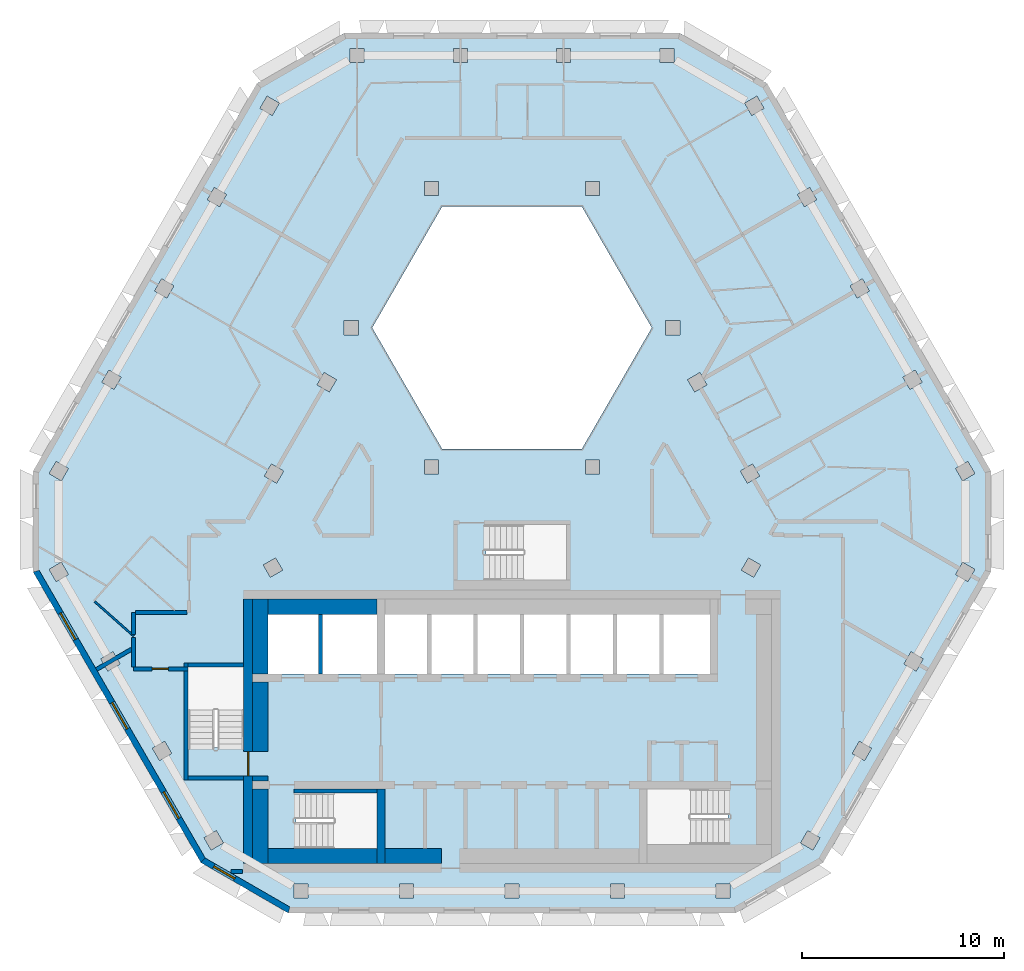
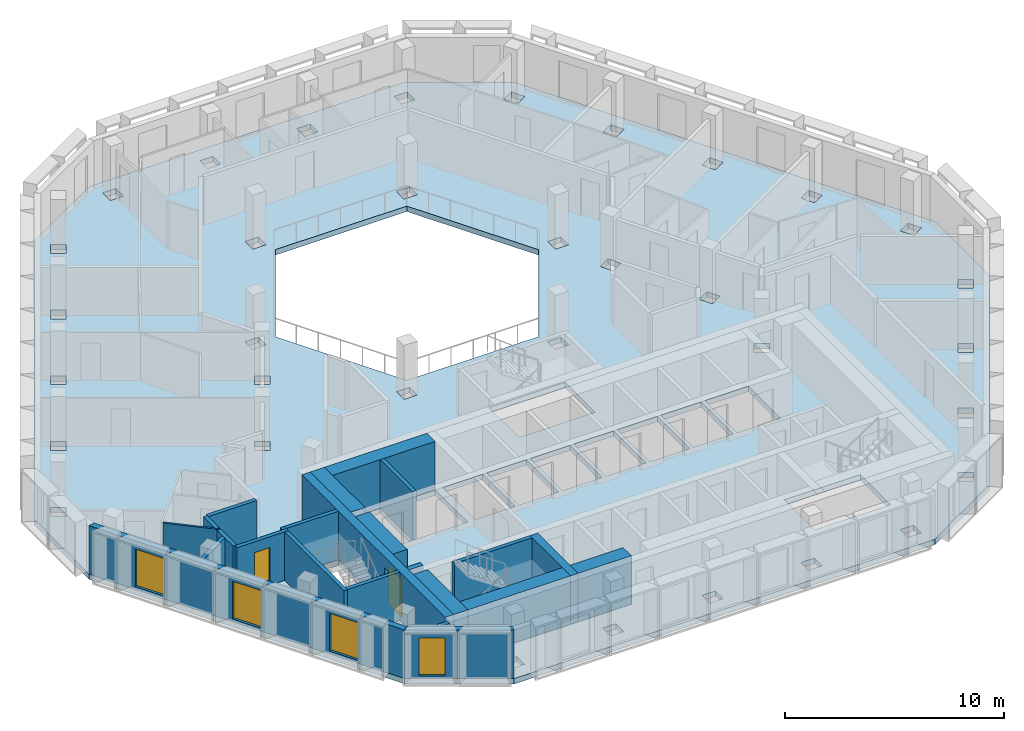
# One storey, part 2 of 14: 23 walls, 4 windows, 2 doors, 1 slab, 6 openings.
"""IFC4 building model written with IfcOpenShell, lengths in metres."""

import ifcopenshell
import ifcopenshell.guid

model = None  # the IFC model being written
_history = None  # IfcOwnerHistory: only IFC2X3 demands one
_inside = {}  # id of a spatial element -> (the spatial element, [elements in it])
_under = {}  # id of a project, library or spatial element -> (it, [spatial elements below it])
_declared = {}  # id of a project -> (the project, [libraries it declares])
_typed = {}  # id of a type object -> (the type object, [elements of that type])
_made_of = {}  # id of a material, layer set ... -> (it, [elements and type objects made of it])


def new_model(schema):
    """Start an empty IFC model of exactly this schema.

    Asked for "IFC4X3", IfcOpenShell would pick the latest addendum, in which some entities
    have other attributes; the version numbers below select the first issue.
    IFC2X3 requires an IfcOwnerHistory on every rooted entity: one is made here for all.
    """
    global model, _history
    if schema == "IFC4X3":
        model = ifcopenshell.file(schema_version=(4, 3, 0, 0))
    else:
        model = ifcopenshell.file(schema=schema)
    _inside.clear()
    _under.clear()
    _declared.clear()
    _typed.clear()
    _made_of.clear()
    _history = None
    if model.schema == "IFC2X3":
        org = make("IfcOrganization", Name="unknown")
        user = make(
            "IfcPersonAndOrganization",
            ThePerson=make("IfcPerson", FamilyName="unknown"),
            TheOrganization=org,
        )
        app = make(
            "IfcApplication",
            ApplicationDeveloper=org,
            Version="unknown",
            ApplicationFullName="unknown",
            ApplicationIdentifier="unknown",
        )
        _history = make(
            "IfcOwnerHistory",
            OwningUser=user,
            OwningApplication=app,
            ChangeAction="ADDED",
            CreationDate=0,
        )
    return model


def make(cls, **values):
    """One entity of the class cls with the attributes given. An attribute that is None is left unset."""
    return model.create_entity(
        cls, **{name: value for name, value in values.items() if value is not None}
    )


def rooted(cls, **values):
    """An entity with a GlobalId (a new one), such as an element, a storey or a relation."""
    return make(cls, GlobalId=ifcopenshell.guid.new(), OwnerHistory=_history, **values)


def si_unit(unit_type, name, prefix=None):
    """IfcSIUnit, for example si_unit("LENGTHUNIT", "METRE", prefix="MILLI")."""
    return make("IfcSIUnit", UnitType=unit_type, Prefix=prefix, Name=name)


def assignment(units):
    """IfcUnitAssignment: the units of a project."""
    return None if units is None else make("IfcUnitAssignment", Units=units)


def point(xyz):
    """IfcCartesianPoint."""
    return None if xyz is None else make("IfcCartesianPoint", Coordinates=xyz)


def direction(xyz):
    """IfcDirection."""
    return None if xyz is None else make("IfcDirection", DirectionRatios=xyz)


def frame(location, z_axis=None, x_axis=None):
    """IfcAxis2Placement3D, a coordinate frame: its origin and axes. An axis left out is left unset."""
    return make(
        "IfcAxis2Placement3D",
        Location=point(location),
        Axis=direction(z_axis),
        RefDirection=direction(x_axis),
    )


def frame_2d(location, x_axis=None):
    """IfcAxis2Placement2D, a coordinate frame in the plane: its origin and x axis."""
    return make(
        "IfcAxis2Placement2D", Location=point(location), RefDirection=direction(x_axis)
    )


def origin():
    """The frame at (0, 0, 0) with its axes left unset."""
    return frame((0.0, 0.0, 0.0))


def place(relative_to, where):
    """IfcLocalPlacement: puts the frame where relative to a parent placement (None: the world)."""
    return make(
        "IfcLocalPlacement", PlacementRelTo=relative_to, RelativePlacement=where
    )


def context(
    kind, dimensions, precision=None, world=None, true_north=None, identifier=None
):
    """IfcGeometricRepresentationContext, for example the 3D "Model" context."""
    return make(
        "IfcGeometricRepresentationContext",
        ContextIdentifier=identifier,
        ContextType=kind,
        CoordinateSpaceDimension=dimensions,
        Precision=precision,
        WorldCoordinateSystem=world,
        TrueNorth=true_north,
    )


def subcontext(parent, identifier, kind, view, scale=None):
    """IfcGeometricRepresentationSubContext, for example "Body" below "Model"."""
    return make(
        "IfcGeometricRepresentationSubContext",
        ContextIdentifier=identifier,
        ContextType=kind,
        ParentContext=parent,
        TargetScale=scale,
        TargetView=view,
    )


def project(units=None, contexts=None):
    """IfcProject with its units and contexts."""
    return rooted(
        "IfcProject",
        Name="project",
        RepresentationContexts=contexts,
        UnitsInContext=assignment(units),
    )


def spatial(cls, under=None, at=None, **own):
    """A site, building, storey or space (cls), placed at a placement, below another one or the project."""
    s = rooted(cls, ObjectPlacement=at, **own)
    if under is not None:
        _under.setdefault(under.id(), (under, []))[1].append(s)
    return s


def polyline(points):
    """IfcPolyline through the points."""
    return make("IfcPolyline", Points=[point(p) for p in points])


def profile(cls, at=None, kind="AREA", **sizes):
    """A parametric profile (cls). Its sizes go by their IFC names, for example OverallWidth=200.0."""
    return make(cls, ProfileType=kind, Position=at, **sizes)


def rectangle(**sizes):
    """IfcRectangleProfileDef."""
    return profile("IfcRectangleProfileDef", **sizes)


def outline(outer, holes=None, kind="AREA"):
    """IfcArbitraryClosedProfileDef: a profile drawn as a closed curve; with holes, ...WithVoids."""
    if holes is None:
        return make("IfcArbitraryClosedProfileDef", ProfileType=kind, OuterCurve=outer)
    return make(
        "IfcArbitraryProfileDefWithVoids",
        ProfileType=kind,
        OuterCurve=outer,
        InnerCurves=holes,
    )


def extrude(swept, where, along, depth):
    """IfcExtrudedAreaSolid: the profile swept, set in the frame where, extruded along a direction by depth."""
    return make(
        "IfcExtrudedAreaSolid",
        SweptArea=swept,
        Position=where,
        ExtrudedDirection=direction(along),
        Depth=depth,
    )


def shape(context_of_items, identifier, shape_type, items):
    """IfcShapeRepresentation: the items that make up one representation, for example the "Body"."""
    return make(
        "IfcShapeRepresentation",
        ContextOfItems=context_of_items,
        RepresentationIdentifier=identifier,
        RepresentationType=shape_type,
        Items=items,
    )


def material(Name=None, Category=None):
    """IfcMaterial."""
    return make("IfcMaterial", Name=Name, Category=Category)


def layer(
    of_material, thickness, ventilated=None, Name=None, Category=None, Priority=None
):
    """IfcMaterialLayer: one layer of a wall or slab, of a material (None: an air gap)."""
    return make(
        "IfcMaterialLayer",
        Material=of_material,
        LayerThickness=thickness,
        IsVentilated=ventilated,
        Name=Name,
        Category=Category,
        Priority=Priority,
    )


def layer_set(layers, Name=None):
    """IfcMaterialLayerSet."""
    return make("IfcMaterialLayerSet", MaterialLayers=layers, LayerSetName=Name)


def made_of(thing, what):
    """Note that an element or type object is made of a material, layer set ...; save() writes the relation."""
    if what is not None:
        _made_of.setdefault(what.id(), (what, []))[1].append(thing)
    return thing


def type_object(cls, material=None, **own):
    """A type object (cls), such as IfcWallType, which elements share."""
    return made_of(rooted(cls, **own), material)


def element(
    cls,
    number,
    at=None,
    inside=None,
    cuts=None,
    type_object=None,
    material=None,
    context=None,
    identifier="Body",
    shape_type=None,
    held_by="IfcProductDefinitionShape",
    body=None,
    shapes=None,
    **own,
):
    """One element of the class cls, such as IfcWall. Its Tag is "e" and its number.

    at: its placement. inside: the storey or other place that contains it. cuts: it is an
    opening in that element (IfcRelVoidsElement). A single representation is given by context,
    identifier, shape_type and body (its items); several are given by shapes. held_by: the class
    of the entity that holds the representations. save() writes the other relations.
    """
    e = rooted(cls, Tag="e%d" % number, ObjectPlacement=at, **own)
    if body is not None:
        shapes = [shape(context, identifier, shape_type, body)]
    if shapes is not None:
        e.Representation = make(held_by, Representations=shapes)
    if inside is not None:
        _inside.setdefault(inside.id(), (inside, []))[1].append(e)
    if cuts is not None:
        rooted(
            "IfcRelVoidsElement", RelatingBuildingElement=cuts, RelatedOpeningElement=e
        )
    if type_object is not None:
        _typed.setdefault(type_object.id(), (type_object, []))[1].append(e)
    return made_of(e, material)


def fill(opening, filler):
    """IfcRelFillsElement: the door or window that sits in an opening."""
    return rooted(
        "IfcRelFillsElement",
        RelatingOpeningElement=opening,
        RelatedBuildingElement=filler,
    )


def aggregate(whole, parts):
    """IfcRelAggregates: a whole, such as a stair, and the parts it consists of."""
    return rooted("IfcRelAggregates", RelatingObject=whole, RelatedObjects=parts)


def save(model, path):
    """Write the relations noted so far, then the file.

    IfcRelAggregates (storeys below a building ...), IfcRelContainedInSpatialStructure (elements
    in a storey), IfcRelDefinesByType, IfcRelAssociatesMaterial and IfcRelDeclares: one each for
    every whole, place, type object, material and project.
    """
    for whole, parts in _under.values():
        aggregate(whole, parts)
    for where, things in _inside.values():
        rooted(
            "IfcRelContainedInSpatialStructure",
            RelatedElements=things,
            RelatingStructure=where,
        )
    for kind, things in _typed.values():
        rooted("IfcRelDefinesByType", RelatedObjects=things, RelatingType=kind)
    for what, things in _made_of.values():
        rooted("IfcRelAssociatesMaterial", RelatedObjects=things, RelatingMaterial=what)
    for by, libraries in _declared.values():
        rooted("IfcRelDeclares", RelatingContext=by, RelatedDefinitions=libraries)
    model.write(path)


model = new_model("IFC4")

# Units and contexts
model_context = context("Model", 3, precision=1e-05, world=origin(), true_north=direction((0.0, 1.0)))
body_context = subcontext(model_context, "Body", "Model", "MODEL_VIEW")
ifc_project = project(units=[si_unit("LENGTHUNIT", "METRE"), si_unit("AREAUNIT", "SQUARE_METRE"), si_unit("VOLUMEUNIT", "CUBIC_METRE"), si_unit("PLANEANGLEUNIT", "RADIAN"), si_unit("MASSUNIT", "GRAM", prefix="KILO")], contexts=[model_context])

# Site, building, storey
site_placement = place(None, origin())
site = spatial("IfcSite", under=ifc_project, at=site_placement, CompositionType="ELEMENT")
building_placement = place(site_placement, origin())
building = spatial("IfcBuilding", under=site, at=building_placement, Name="Beryl Residences", CompositionType="ELEMENT")
storey_placement = place(building_placement, frame((0.0, 0.0, 229.800048828125)))
storey = spatial("IfcBuildingStorey", under=building, at=storey_placement, Name="L71", CompositionType="ELEMENT", Elevation=229.800048828125)

# Slab
ifc_material_1 = material(Name="Concrete C40/50", Category="concrete")
ifc_layer_1 = layer(ifc_material_1, 0.300048828125)
ifc_layer_set_1 = layer_set([ifc_layer_1], Name="SL7 PT floor slab 300 mm C40/50")
slab_type = type_object("IfcSlabType", Name="SL7 PT floor slab 300 mm C40/50", PredefinedType="FLOOR", material=ifc_layer_set_1)
slab_placement = place(storey_placement, frame((0.0, 0.0, -0.300048828125)))
element("IfcSlab", 1, at=slab_placement, inside=storey, type_object=slab_type, Name="L71 slab 1", PredefinedType="FLOOR", context=body_context, shape_type="SweptSolid", body=[
    extrude(outline(polyline([(23.72900390625, -4.10009765625), (15.4150390625, -18.5), (11.0849609375, -21.0), (-11.0849609375, -21.0), (-15.4150390625, -18.5), (-23.72900390625, -4.10009765625), (-23.72900390625, 0.89990234375), (-12.64404296875, 20.10009765625), (-8.31396484375, 22.60009765625), (8.31396484375, 22.60009765625), (12.64404296875, 20.10009765625), (23.72900390625, 0.89990234375), (23.72900390625, -4.10009765625)]), holes=[polyline([(21.97998046875, 1.028076171875), (22.330078125, 0.422119140625), (22.93603515625, 0.77197265625), (22.5859375, 1.3779296875), (21.97998046875, 1.028076171875)]), polyline([(21.97998046875, -4.22900390625), (22.5859375, -4.5791015625), (22.93603515625, -3.972900390625), (22.330078125, -3.623046875), (21.97998046875, -4.22900390625)]), polyline([(19.77099609375, -8.055908203125), (19.4208984375, -8.662109375), (20.027099609375, -9.011962890625), (20.376953125, -8.406005859375), (19.77099609375, -8.055908203125)]), polyline([(19.367919921875, 5.552978515625), (19.718017578125, 4.947021484375), (20.323974609375, 5.297119140625), (19.97412109375, 5.903076171875), (19.367919921875, 5.552978515625)]), polyline([(17.2109375, -12.489013671875), (16.861083984375, -13.094970703125), (17.467041015625, -13.445068359375), (17.81689453125, -12.839111328125), (17.2109375, -12.489013671875)]), polyline([(17.361083984375, 10.427978515625), (16.7548828125, 10.077880859375), (17.10498046875, 9.471923828125), (17.7109375, 9.822021484375), (17.361083984375, 10.427978515625)]), polyline([(15.258056640625, -17.27197265625), (14.652099609375, -16.922119140625), (14.302001953125, -17.528076171875), (14.907958984375, -17.8779296875), (15.258056640625, -17.27197265625)]), polyline([(14.14306640625, 14.60302734375), (14.492919921875, 13.9970703125), (15.09912109375, 14.346923828125), (14.7490234375, 14.952880859375), (14.14306640625, 14.60302734375)]), polyline([(11.531005859375, 19.1279296875), (11.881103515625, 18.52197265625), (12.487060546875, 18.8720703125), (12.136962890625, 19.47802734375), (11.531005859375, 19.1279296875)]), polyline([(11.717041015625, -3.406005859375), (11.366943359375, -4.011962890625), (11.972900390625, -4.362060546875), (12.322998046875, -3.756103515625), (11.717041015625, -3.406005859375)]), polyline([(11.919921875, 1.2529296875), (11.31396484375, 0.903076171875), (11.6640625, 0.297119140625), (12.27001953125, 0.64697265625), (11.919921875, 1.2529296875)]), polyline([(10.800048828125, -19.550048828125), (10.10009765625, -19.550048828125), (10.10009765625, -20.25), (10.800048828125, -20.25), (10.800048828125, -19.550048828125)]), polyline([(6.699951171875, -14.85009765625), (6.699951171875, -17.60009765625), (10.699951171875, -17.60009765625), (10.699951171875, -14.85009765625), (6.699951171875, -14.85009765625)]), polyline([(7.5, -9.14990234375), (9.800048828125, -9.14990234375), (9.800048828125, -6.199951171875), (7.5, -6.199951171875), (7.5, -9.14990234375)]), polyline([(8.700927734375, 5.427978515625), (9.051025390625, 4.822021484375), (9.656982421875, 5.172119140625), (9.306884765625, 5.778076171875), (8.700927734375, 5.427978515625)]), polyline([(8.31689453125, 7.64990234375), (8.31689453125, 8.35009765625), (7.616943359375, 8.35009765625), (7.616943359375, 7.64990234375), (8.31689453125, 7.64990234375)]), polyline([(7.3291015625, 21.85009765625), (7.3291015625, 21.14990234375), (8.029052734375, 21.14990234375), (8.029052734375, 21.85009765625), (7.3291015625, 21.85009765625)]), polyline([(5.199951171875, -9.14990234375), (7.300048828125, -9.14990234375), (7.300048828125, -6.199951171875), (5.199951171875, -6.199951171875), (5.199951171875, -9.14990234375)]), polyline([(3.464111328125, 14.0), (-3.464111328125, 14.0), (-6.92822265625, 8.0), (-3.464111328125, 2.0), (3.464111328125, 2.0), (6.92822265625, 8.0), (3.464111328125, 14.0)]), polyline([(4.875, -19.550048828125), (4.875, -20.25), (5.574951171875, -20.25), (5.574951171875, -19.550048828125), (4.875, -19.550048828125)]), polyline([(2.89990234375, -9.14990234375), (5.0, -9.14990234375), (5.0, -6.199951171875), (2.89990234375, -6.199951171875), (2.89990234375, -9.14990234375)]), polyline([(4.333984375, 15.25), (3.634033203125, 15.25), (3.634033203125, 14.550048828125), (4.333984375, 14.550048828125), (4.333984375, 15.25)]), polyline([(4.333984375, 1.449951171875), (3.634033203125, 1.449951171875), (3.634033203125, 0.75), (4.333984375, 0.75), (4.333984375, 1.449951171875)]), polyline([(2.2099609375, 21.85009765625), (2.2099609375, 21.14990234375), (2.909912109375, 21.14990234375), (2.909912109375, 21.85009765625), (2.2099609375, 21.85009765625)]), polyline([(2.699951171875, -9.14990234375), (2.699951171875, -6.199951171875), (0.60009765625, -6.199951171875), (0.60009765625, -9.14990234375), (2.699951171875, -9.14990234375)]), polyline([(2.699951171875, -4.5), (2.699951171875, -1.75), (-1.300048828125, -1.75), (-1.300048828125, -4.5), (2.699951171875, -4.5)]), polyline([(0.39990234375, -6.199951171875), (-1.699951171875, -6.199951171875), (-1.699951171875, -9.14990234375), (0.39990234375, -9.14990234375), (0.39990234375, -6.199951171875)]), polyline([(0.35009765625, -19.550048828125), (-0.35009765625, -19.550048828125), (-0.35009765625, -20.25), (0.35009765625, -20.25), (0.35009765625, -19.550048828125)]), polyline([(-4.0, -9.14990234375), (-1.89990234375, -9.14990234375), (-1.89990234375, -6.199951171875), (-4.0, -6.199951171875), (-4.0, -9.14990234375)]), polyline([(-2.908935546875, 21.14990234375), (-2.208984375, 21.14990234375), (-2.208984375, 21.85009765625), (-2.908935546875, 21.85009765625), (-2.908935546875, 21.14990234375)]), polyline([(-3.634033203125, 15.25), (-4.333984375, 15.25), (-4.333984375, 14.550048828125), (-3.634033203125, 14.550048828125), (-3.634033203125, 15.25)]), polyline([(-4.333984375, 1.449951171875), (-4.333984375, 0.75), (-3.634033203125, 0.75), (-3.634033203125, 1.449951171875), (-4.333984375, 1.449951171875)]), polyline([(-6.300048828125, -9.14990234375), (-4.199951171875, -9.14990234375), (-4.199951171875, -6.199951171875), (-6.300048828125, -6.199951171875), (-6.300048828125, -9.14990234375)]), polyline([(-4.875, -19.550048828125), (-5.574951171875, -19.550048828125), (-5.574951171875, -20.25), (-4.875, -20.25), (-4.875, -19.550048828125)]), polyline([(-9.39990234375, -6.199951171875), (-9.39990234375, -9.14990234375), (-6.699951171875, -9.14990234375), (-6.699951171875, -6.199951171875), (-9.39990234375, -6.199951171875)]), polyline([(-10.699951171875, -15.050048828125), (-10.699951171875, -17.800048828125), (-6.699951171875, -17.800048828125), (-6.699951171875, -15.050048828125), (-10.699951171875, -15.050048828125)]), polyline([(-8.028076171875, 21.14990234375), (-7.327880859375, 21.14990234375), (-7.327880859375, 21.85009765625), (-8.028076171875, 21.85009765625), (-8.028076171875, 21.14990234375)]), polyline([(-7.616943359375, 7.64990234375), (-7.616943359375, 8.35009765625), (-8.31689453125, 8.35009765625), (-8.31689453125, 7.64990234375), (-7.616943359375, 7.64990234375)]), polyline([(-9.051025390625, 4.822021484375), (-8.700927734375, 5.427978515625), (-9.306884765625, 5.778076171875), (-9.656982421875, 5.172119140625), (-9.051025390625, 4.822021484375)]), polyline([(-12.10009765625, -9.14990234375), (-9.60009765625, -9.14990234375), (-9.60009765625, -6.199951171875), (-12.10009765625, -6.199951171875), (-12.10009765625, -9.14990234375)]), polyline([(-10.800048828125, -19.550048828125), (-10.800048828125, -20.25), (-10.10009765625, -20.25), (-10.10009765625, -19.550048828125), (-10.800048828125, -19.550048828125)]), polyline([(-12.27001953125, 0.64697265625), (-11.6640625, 0.297119140625), (-11.31396484375, 0.903076171875), (-11.919921875, 1.2529296875), (-12.27001953125, 0.64697265625)]), polyline([(-11.972900390625, -4.361083984375), (-11.366943359375, -4.010986328125), (-11.717041015625, -3.405029296875), (-12.322998046875, -3.7548828125), (-11.972900390625, -4.361083984375)]), polyline([(-12.487060546875, 18.8720703125), (-11.881103515625, 18.52197265625), (-11.531005859375, 19.1279296875), (-12.136962890625, 19.47802734375), (-12.487060546875, 18.8720703125)]), polyline([(-13.300048828125, -8.800048828125), (-16.050048828125, -8.800048828125), (-16.050048828125, -12.800048828125), (-13.300048828125, -12.800048828125), (-13.300048828125, -8.800048828125)]), polyline([(-14.14306640625, 14.60302734375), (-14.7490234375, 14.952880859375), (-15.09912109375, 14.346923828125), (-14.492919921875, 13.9970703125), (-14.14306640625, 14.60302734375)]), polyline([(-14.302978515625, -17.527099609375), (-14.653076171875, -16.9208984375), (-15.259033203125, -17.27099609375), (-14.908935546875, -17.876953125), (-14.302978515625, -17.527099609375)]), polyline([(-17.10498046875, 9.471923828125), (-16.7548828125, 10.077880859375), (-17.361083984375, 10.427978515625), (-17.7109375, 9.822021484375), (-17.10498046875, 9.471923828125)]), polyline([(-17.2119140625, -12.488037109375), (-17.818115234375, -12.837890625), (-17.468017578125, -13.444091796875), (-16.862060546875, -13.093994140625), (-17.2119140625, -12.488037109375)]), polyline([(-19.718017578125, 4.947021484375), (-19.367919921875, 5.552978515625), (-19.97412109375, 5.903076171875), (-20.323974609375, 5.297119140625), (-19.718017578125, 4.947021484375)]), polyline([(-19.4208984375, -8.660888671875), (-19.77099609375, -8.054931640625), (-20.376953125, -8.405029296875), (-20.027099609375, -9.010986328125), (-19.4208984375, -8.660888671875)]), polyline([(-22.330078125, 0.422119140625), (-21.97998046875, 1.028076171875), (-22.5859375, 1.3779296875), (-22.93603515625, 0.77197265625), (-22.330078125, 0.422119140625)]), polyline([(-21.98095703125, -4.22802734375), (-22.3310546875, -3.6220703125), (-22.93701171875, -3.971923828125), (-22.5869140625, -4.577880859375), (-21.98095703125, -4.22802734375)])]), origin(), (0.0, 0.0, 1.0), 0.300048828125),
])

# Wall, openings, windows
ifc_material_2 = material(Name="Composite metal panel with mineral wool insulation")
ifc_layer_2 = layer(ifc_material_2, 0.300048828125)
ifc_layer_set_2 = layer_set([ifc_layer_2], Name="ES1 pale metal composite panel wall 300 mm")
wall_type_1 = type_object("IfcWallType", Name="ES1 pale metal composite panel wall 300 mm", PredefinedType="SOLIDWALL", material=ifc_layer_set_2)
wall_1_placement = place(storey_placement, frame((-23.59912109375, -4.02490234375, 0.0), z_axis=(0.0, 0.0, 1.0), x_axis=(0.500012653391, -0.866018098222, 0.0)))
wall_1 = element("IfcWall", 2, at=wall_1_placement, inside=storey, type_object=wall_type_1, Name="ES1 external wall L71 SW", PredefinedType="SOLIDWALL", context=body_context, shape_type="SweptSolid", body=[
    extrude(outline(polyline([(0.0, -0.14990234375), (16.6279296875, -0.14990234375), (16.547607421875, 0.14990234375), (0.080322265625, 0.14990234375), (0.0, -0.14990234375)])), origin(), (0.0, 0.0, 1.0), 2.699951171875),
])
opening_1_placement = place(wall_1_placement, frame((2.444091796875, 0.0, 0.14990234375)))
opening_1 = element("IfcOpeningElement", 3, at=opening_1_placement, cuts=wall_1, Name="Opening W1", PredefinedType="OPENING", context=body_context, shape_type="SweptSolid", body=[
    extrude(rectangle(XDim=1.5, YDim=2.10009765625, at=frame_2d((0.75, 1.050048828125))), frame((0.0, 0.159912109375, 0.0), z_axis=(0.0, -1.0, 0.0), x_axis=(1.0, 0.0, 0.0)), (0.0, 0.0, 1.0), 0.320068359375),
])
opening_2_placement = place(wall_1_placement, frame((7.56396484375, 0.0, 0.14990234375)))
opening_2 = element("IfcOpeningElement", 4, at=opening_2_placement, cuts=wall_1, Name="Opening W1", PredefinedType="OPENING", context=body_context, shape_type="SweptSolid", body=[
    extrude(rectangle(XDim=1.5, YDim=2.10009765625, at=frame_2d((0.75, 1.050048828125))), frame((0.0, 0.159912109375, 0.0), z_axis=(0.0, -1.0, 0.0), x_axis=(1.0, 0.0, 0.0)), (0.0, 0.0, 1.0), 0.320068359375),
])
opening_3_placement = place(wall_1_placement, frame((12.681884765625, 0.0, 0.14990234375)))
opening_3 = element("IfcOpeningElement", 5, at=opening_3_placement, cuts=wall_1, Name="Opening W1", PredefinedType="OPENING", context=body_context, shape_type="SweptSolid", body=[
    extrude(rectangle(XDim=1.5, YDim=2.10009765625, at=frame_2d((0.75, 1.050048828125))), frame((0.0, 0.159912109375, 0.0), z_axis=(0.0, -1.0, 0.0), x_axis=(1.0, 0.0, 0.0)), (0.0, 0.0, 1.0), 0.320068359375),
])
ifc_material_3 = material(Name="Aluminium and clear glass", Category="aluminium")
window_type_1 = type_object("IfcWindowType", Name="W1 cell window 1500 x 2100 mm", PartitioningType="SINGLE_PANEL", PredefinedType="WINDOW", material=ifc_material_3)
window_1_placement = place(opening_1_placement, origin())
window_1 = element("IfcWindow", 6, at=window_1_placement, inside=storey, type_object=window_type_1, Name="W1 window L71 SW 2", OverallHeight=2.10009765625, OverallWidth=1.5, PartitioningType="SINGLE_PANEL", PredefinedType="WINDOW", context=body_context, shape_type="SweptSolid", body=[
    extrude(rectangle(XDim=1.5, YDim=2.10009765625, at=frame_2d((0.75, 1.050048828125))), frame((0.0, 0.030029296875, 0.0), z_axis=(0.0, -1.0, 0.0), x_axis=(1.0, 0.0, 0.0)), (0.0, 0.0, 1.0), 0.06005859375),
])
fill(opening_1, window_1)
window_2_placement = place(opening_2_placement, origin())
window_2 = element("IfcWindow", 7, at=window_2_placement, inside=storey, type_object=window_type_1, Name="W1 window L71 SW 4", OverallHeight=2.10009765625, OverallWidth=1.5, PartitioningType="SINGLE_PANEL", PredefinedType="WINDOW", context=body_context, shape_type="SweptSolid", body=[
    extrude(rectangle(XDim=1.5, YDim=2.10009765625, at=frame_2d((0.75, 1.050048828125))), frame((0.0, 0.030029296875, 0.0), z_axis=(0.0, -1.0, 0.0), x_axis=(1.0, 0.0, 0.0)), (0.0, 0.0, 1.0), 0.06005859375),
])
fill(opening_2, window_2)
window_3_placement = place(opening_3_placement, origin())
window_3 = element("IfcWindow", 8, at=window_3_placement, inside=storey, type_object=window_type_1, Name="W1 window L71 SW 6", OverallHeight=2.10009765625, OverallWidth=1.5, PartitioningType="SINGLE_PANEL", PredefinedType="WINDOW", context=body_context, shape_type="SweptSolid", body=[
    extrude(rectangle(XDim=1.5, YDim=2.10009765625, at=frame_2d((0.75, 1.050048828125))), frame((0.0, 0.030029296875, 0.0), z_axis=(0.0, -1.0, 0.0), x_axis=(1.0, 0.0, 0.0)), (0.0, 0.0, 1.0), 0.06005859375),
])
fill(opening_3, window_3)

# Wall, opening, window
wall_2_placement = place(storey_placement, frame((-15.340087890625, -18.3701171875, 0.0), z_axis=(0.0, 0.0, 1.0), x_axis=(0.866022959057, -0.500004234368, 0.0)))
wall_2 = element("IfcWall", 9, at=wall_2_placement, inside=storey, type_object=wall_type_1, Name="ES1 external wall L71 SW-S", PredefinedType="SOLIDWALL", context=body_context, shape_type="SweptSolid", body=[
    extrude(outline(polyline([(0.0, -0.14990234375), (5.0, -0.14990234375), (4.919677734375, 0.14990234375), (0.080322265625, 0.14990234375), (0.0, -0.14990234375)])), origin(), (0.0, 0.0, 1.0), 2.699951171875),
])
opening_4_placement = place(wall_2_placement, frame((0.64990234375, 0.0, 0.14990234375)))
opening_4 = element("IfcOpeningElement", 10, at=opening_4_placement, cuts=wall_2, Name="Opening W2", PredefinedType="OPENING", context=body_context, shape_type="SweptSolid", body=[
    extrude(rectangle(XDim=1.199951171875, YDim=2.10009765625, at=frame_2d((0.60009765625, 1.050048828125))), frame((0.0, 0.159912109375, 0.0), z_axis=(0.0, -1.0, 0.0), x_axis=(1.0, 0.0, 0.0)), (0.0, 0.0, 1.0), 0.320068359375),
])
ifc_material_4 = material(Name="Aluminium and clear glass", Category="aluminium")
window_type_2 = type_object("IfcWindowType", Name="W2 chamfer window 1200 x 2100 mm", PartitioningType="SINGLE_PANEL", PredefinedType="WINDOW", material=ifc_material_4)
window_4_placement = place(opening_4_placement, origin())
window_4 = element("IfcWindow", 11, at=window_4_placement, inside=storey, type_object=window_type_2, Name="W2 window L71 SW-S 1", OverallHeight=2.10009765625, OverallWidth=1.199951171875, PartitioningType="SINGLE_PANEL", PredefinedType="WINDOW", context=body_context, shape_type="SweptSolid", body=[
    extrude(rectangle(XDim=1.199951171875, YDim=2.10009765625, at=frame_2d((0.60009765625, 1.050048828125))), frame((0.0, 0.030029296875, 0.0), z_axis=(0.0, -1.0, 0.0), x_axis=(1.0, 0.0, 0.0)), (0.0, 0.0, 1.0), 0.06005859375),
])
fill(opening_4, window_4)

# Walls
ifc_material_5 = material(Name="Gypsum board partition on steel studs", Category="steel")
ifc_layer_3 = layer(ifc_material_5, 0.10009765625)
ifc_layer_set_3 = layer_set([ifc_layer_3], Name="PT1 partition 100 mm gypsum board on steel studs")
wall_type_2 = type_object("IfcWallType", Name="PT1 partition 100 mm gypsum board on steel studs", PredefinedType="PARTITIONING", material=ifc_layer_set_3)
wall_3_placement = place(storey_placement, frame((-20.678955078125, -5.56494140625, 0.0), z_axis=(0.0, 0.0, 1.0), x_axis=(0.748495475416, -0.663139897217, 0.0)))
element("IfcWall", 12, at=wall_3_placement, inside=storey, type_object=wall_type_2, Name="Wall PT1 L71 020", PredefinedType="PARTITIONING", context=body_context, shape_type="SweptSolid", body=[
    extrude(rectangle(XDim=2.5771484375, YDim=0.10009765625, at=frame_2d((1.28857421875, 0.0))), origin(), (0.0, 0.0, 1.0), 2.699951171875),
])
ifc_material_6 = material(Name="Concrete masonry", Category="masonry")
ifc_layer_4 = layer(ifc_material_6, 0.25)
ifc_layer_set_4 = layer_set([ifc_layer_4], Name="PT13-250 lobby wall 250 mm")
wall_type_3 = type_object("IfcWallType", Name="PT13-250 lobby wall 250 mm", PredefinedType="PARTITIONING", material=ifc_layer_set_4)
wall_4_placement = place(storey_placement, frame((-12.85009765625, -14.324951171875, 0.0), z_axis=(0.0, 0.0, 1.0), x_axis=(1.0, 0.0, 0.0)))
element("IfcWall", 13, at=wall_4_placement, inside=storey, type_object=wall_type_3, Name="Lobby wall 05", PredefinedType="PARTITIONING", context=body_context, shape_type="SweptSolid", body=[
    extrude(rectangle(XDim=0.75, YDim=0.25, at=frame_2d((0.375, 0.0))), origin(), (0.0, 0.0, 1.0), 2.699951171875),
])
ifc_material_7 = material(Name="Concrete masonry", Category="masonry")
ifc_layer_5 = layer(ifc_material_7, 0.75)
ifc_layer_set_5 = layer_set([ifc_layer_5], Name="PT13-750 lobby wall 750 mm")
wall_type_4 = type_object("IfcWallType", Name="PT13-750 lobby wall 750 mm", PredefinedType="PARTITIONING", material=ifc_layer_set_5)
wall_5_placement = place(storey_placement, frame((-12.47509765625, -13.0, 0.0), z_axis=(0.0, 0.0, 1.0), x_axis=(0.0, 1.0, 0.0)))
element("IfcWall", 14, at=wall_5_placement, inside=storey, type_object=wall_type_4, Name="Lobby wall 06", PredefinedType="PARTITIONING", context=body_context, shape_type="SweptSolid", body=[
    extrude(rectangle(XDim=3.449951171875, YDim=0.75, at=frame_2d((1.72509765625, 0.0))), origin(), (0.0, 0.0, 1.0), 2.699951171875),
])
ifc_material_8 = material(Name="Acoustic double stud gypsum board wall")
ifc_layer_6 = layer(ifc_material_8, 0.199951171875)
ifc_layer_set_6 = layer_set([ifc_layer_6], Name="PT3 party wall 200 mm acoustic double stud")
wall_type_5 = type_object("IfcWallType", Name="PT3 party wall 200 mm acoustic double stud", PredefinedType="PARTITIONING", material=ifc_layer_set_6)
wall_6_placement = place(storey_placement, frame((-13.9150390625, -18.949951171875, 0.0), z_axis=(0.0, 0.0, 1.0), x_axis=(1.0, 0.0, 0.0)))
element("IfcWall", 15, at=wall_6_placement, inside=storey, type_object=wall_type_5, Name="Wall PT3 L71 007", PredefinedType="PARTITIONING", context=body_context, shape_type="SweptSolid", body=[
    extrude(rectangle(XDim=0.554931640625, YDim=0.199951171875, at=frame_2d((0.27734375, 0.0))), origin(), (0.0, 0.0, 1.0), 2.699951171875),
])
wall_7_placement = place(storey_placement, frame((-20.592041015625, -8.93310546875, 0.0), z_axis=(0.0, 0.0, 1.0), x_axis=(0.865941000796, 0.500146161777, 0.0)))
element("IfcWall", 16, at=wall_7_placement, inside=storey, type_object=wall_type_5, Name="Wall PT3 L71 011", PredefinedType="PARTITIONING", context=body_context, shape_type="SweptSolid", body=[
    extrude(rectangle(XDim=2.01171875, YDim=0.199951171875, at=frame_2d((1.005859375, 0.0))), origin(), (0.0, 0.0, 1.0), 2.699951171875),
])
ifc_material_9 = material(Name="Double stud gypsum board wall")
ifc_layer_7 = layer(ifc_material_9, 0.199951171875)
ifc_layer_set_7 = layer_set([ifc_layer_7], Name="PT4 corridor wall 200 mm double stud")
wall_type_6 = type_object("IfcWallType", Name="PT4 corridor wall 200 mm double stud", PredefinedType="PARTITIONING", material=ifc_layer_set_7)
wall_8_placement = place(storey_placement, frame((-18.75, -7.341064453125, 0.0), z_axis=(0.0, 0.0, 1.0), x_axis=(0.0, -1.0, 0.0)))
element("IfcWall", 17, at=wall_8_placement, inside=storey, type_object=wall_type_6, Name="Wall PT4 L71 007", PredefinedType="PARTITIONING", context=body_context, shape_type="SweptSolid", body=[
    extrude(rectangle(XDim=1.4580078125, YDim=0.199951171875, at=frame_2d((0.72900390625, 0.0))), origin(), (0.0, 0.0, 1.0), 2.699951171875),
])
wall_9_placement = place(storey_placement, frame((-18.64892578125, -6.10009765625, 0.0), z_axis=(0.0, 0.0, 1.0), x_axis=(1.0, 0.0, 0.0)))
element("IfcWall", 18, at=wall_9_placement, inside=storey, type_object=wall_type_6, Name="Wall PT4 L71 010", PredefinedType="PARTITIONING", context=body_context, shape_type="SweptSolid", body=[
    extrude(rectangle(XDim=2.5478515625, YDim=0.199951171875, at=frame_2d((1.27392578125, 0.0))), origin(), (0.0, 0.0, 1.0), 2.699951171875),
])

# Wall, opening, door
wall_10_placement = place(storey_placement, frame((-18.7490234375, -8.89990234375, 0.0), z_axis=(0.0, 0.0, 1.0), x_axis=(1.0, 0.0, 0.0)))
wall_10 = element("IfcWall", 19, at=wall_10_placement, inside=storey, type_object=wall_type_6, Name="Wall PT4 L71 011", PredefinedType="PARTITIONING", context=body_context, shape_type="SweptSolid", body=[
    extrude(rectangle(XDim=2.698974609375, YDim=0.199951171875, at=frame_2d((1.349609375, 0.0))), origin(), (0.0, 0.0, 1.0), 2.699951171875),
])
opening_5_placement = place(wall_10_placement, frame((0.9189453125, 0.0, 0.0)))
opening_5 = element("IfcOpeningElement", 20, at=opening_5_placement, cuts=wall_10, Name="Opening D2220", PredefinedType="OPENING", context=body_context, shape_type="SweptSolid", body=[
    extrude(rectangle(XDim=0.800048828125, YDim=2.10009765625, at=frame_2d((0.39990234375, 1.050048828125))), frame((0.0, 0.10986328125, 0.0), z_axis=(0.0, -1.0, 0.0), x_axis=(1.0, 0.0, 0.0)), (0.0, 0.0, 1.0), 0.219970703125),
])
ifc_material_10 = material(Name="Timber door leaf", Category="wood")
door_type_1 = type_object("IfcDoorType", Name="D3 bathroom door 800 x 2100 mm", OperationType="SINGLE_SWING_LEFT", PredefinedType="DOOR", material=ifc_material_10)
door_1_placement = place(opening_5_placement, origin())
door_1 = element("IfcDoor", 21, at=door_1_placement, inside=storey, type_object=door_type_1, Name="Door D2220 L71 001", OperationType="SINGLE_SWING_RIGHT", OverallHeight=2.10009765625, OverallWidth=0.800048828125, PredefinedType="DOOR", context=body_context, shape_type="SweptSolid", body=[
    extrude(rectangle(XDim=0.800048828125, YDim=2.10009765625, at=frame_2d((0.39990234375, 1.050048828125))), frame((0.0, 0.02490234375, 0.0), z_axis=(0.0, -1.0, 0.0), x_axis=(1.0, 0.0, 0.0)), (0.0, 0.0, 1.0), 0.050048828125),
])
fill(opening_5, door_1)

# Walls
wall_11_placement = place(storey_placement, frame((-18.75, -7.20703125, 0.0), z_axis=(0.0, 0.0, 1.0), x_axis=(0.0, 1.0, 0.0)))
element("IfcWall", 22, at=wall_11_placement, inside=storey, type_object=wall_type_6, Name="Wall PT4 L71 028", PredefinedType="PARTITIONING", context=body_context, shape_type="SweptSolid", body=[
    extrude(rectangle(XDim=1.10595703125, YDim=0.199951171875, at=frame_2d((0.552978515625, 0.0))), origin(), (0.0, 0.0, 1.0), 2.699951171875),
])
ifc_material_11 = material(Name="Concrete C40/50", Category="concrete")
ifc_layer_8 = layer(ifc_material_11, 0.199951171875)
ifc_layer_set_8 = layer_set([ifc_layer_8], Name="PT5 stair enclosure wall 200 mm reinforced concrete C40/50")
wall_type_7 = type_object("IfcWallType", Name="PT5 stair enclosure wall 200 mm reinforced concrete C40/50", PredefinedType="SOLIDWALL", material=ifc_layer_set_8)
wall_12_placement = place(storey_placement, frame((-16.14990234375, -14.39990234375, 0.0), z_axis=(0.0, 0.0, 1.0), x_axis=(0.0, 1.0, 0.0)))
element("IfcWall", 23, at=wall_12_placement, inside=storey, type_object=wall_type_7, Name="Stair wall 01", PredefinedType="SOLIDWALL", context=body_context, shape_type="SweptSolid", body=[
    extrude(rectangle(XDim=5.7998046875, YDim=0.199951171875, at=frame_2d((2.89990234375, 0.0))), origin(), (0.0, 0.0, 1.0), 2.699951171875),
])
for number, where, z_axis, x_axis, name in (
    (24, (-16.050048828125, -14.300048828125, 0.0), (0.0, 0.0, 1.0), (1.0, 0.0, 0.0), "Stair wall 02"),
    (25, (-16.050048828125, -8.699951171875, 0.0), (0.0, 0.0, 1.0), (1.0, 0.0, 0.0), "Stair wall 03"),
):
    element("IfcWall", number, at=place(storey_placement, frame(where, z_axis=z_axis, x_axis=x_axis)), inside=storey, type_object=wall_type_7, Name=name, PredefinedType="SOLIDWALL", context=body_context, shape_type="SweptSolid", body=[
        extrude(rectangle(XDim=2.75, YDim=0.199951171875, at=frame_2d((1.375, 0.0))), origin(), (0.0, 0.0, 1.0), 2.699951171875),
    ])
wall_13_placement = place(storey_placement, frame((-10.800048828125, -14.949951171875, 0.0), z_axis=(0.0, 0.0, 1.0), x_axis=(1.0, 0.0, 0.0)))
element("IfcWall", 26, at=wall_13_placement, inside=storey, type_object=wall_type_7, Name="Stair wall 10", PredefinedType="SOLIDWALL", context=body_context, shape_type="SweptSolid", body=[
    extrude(rectangle(XDim=4.10009765625, YDim=0.199951171875, at=frame_2d((2.050048828125, 0.0))), origin(), (0.0, 0.0, 1.0), 2.699951171875),
])
ifc_material_12 = material(Name="Concrete C40/50", Category="concrete")
ifc_layer_9 = layer(ifc_material_12, 0.75)
ifc_layer_set_9 = layer_set([ifc_layer_9], Name="PT5-750 stair enclosure wall 750 mm")
wall_type_8 = type_object("IfcWallType", Name="PT5-750 stair enclosure wall 750 mm", PredefinedType="SOLIDWALL", material=ifc_layer_set_9)
wall_14_placement = place(storey_placement, frame((-12.47509765625, -18.550048828125, 0.0), z_axis=(0.0, 0.0, 1.0), x_axis=(0.0, 1.0, 0.0)))
element("IfcWall", 27, at=wall_14_placement, inside=storey, type_object=wall_type_8, Name="Stair wall 04", PredefinedType="SOLIDWALL", context=body_context, shape_type="SweptSolid", body=[
    extrude(rectangle(XDim=3.699951171875, YDim=0.75, at=frame_2d((1.85009765625, 0.0))), origin(), (0.0, 0.0, 1.0), 2.699951171875),
])
wall_15_placement = place(storey_placement, frame((-12.10009765625, -18.175048828125, 0.0), z_axis=(0.0, 0.0, 1.0), x_axis=(1.0, 0.0, 0.0)))
element("IfcWall", 28, at=wall_15_placement, inside=storey, type_object=wall_type_8, Name="Stair wall 08", PredefinedType="SOLIDWALL", context=body_context, shape_type="SweptSolid", body=[
    extrude(rectangle(XDim=5.400146484375, YDim=0.75, at=frame_2d((2.7001953125, 0.0))), origin(), (0.0, 0.0, 1.0), 2.699951171875),
])
ifc_material_13 = material(Name="Concrete C40/50", Category="concrete")
ifc_layer_10 = layer(ifc_material_13, 0.199951171875)
ifc_layer_set_10 = layer_set([ifc_layer_10], Name="PT6 lift shaft wall 200 mm reinforced concrete C40/50")
wall_type_9 = type_object("IfcWallType", Name="PT6 lift shaft wall 200 mm reinforced concrete C40/50", PredefinedType="SOLIDWALL", material=ifc_layer_set_10)
wall_16_placement = place(storey_placement, frame((-9.5, -9.14990234375, 0.0), z_axis=(0.0, 0.0, 1.0), x_axis=(0.0, 1.0, 0.0)))
element("IfcWall", 29, at=wall_16_placement, inside=storey, type_object=wall_type_9, Name="Lift shaft wall 11", PredefinedType="SOLIDWALL", context=body_context, shape_type="SweptSolid", body=[
    extrude(rectangle(XDim=2.949951171875, YDim=0.199951171875, at=frame_2d((1.47509765625, 0.0))), origin(), (0.0, 0.0, 1.0), 2.699951171875),
])
ifc_material_14 = material(Name="Concrete C40/50", Category="concrete")
ifc_layer_11 = layer(ifc_material_14, 0.75)
ifc_layer_set_11 = layer_set([ifc_layer_11], Name="PT6-750 lift shaft wall 750 mm")
wall_type_10 = type_object("IfcWallType", Name="PT6-750 lift shaft wall 750 mm", PredefinedType="SOLIDWALL", material=ifc_layer_set_11)
wall_17_placement = place(storey_placement, frame((-12.47509765625, -9.14990234375, 0.0), z_axis=(0.0, 0.0, 1.0), x_axis=(0.0, 1.0, 0.0)))
element("IfcWall", 30, at=wall_17_placement, inside=storey, type_object=wall_type_10, Name="Lift shaft wall 07", PredefinedType="SOLIDWALL", context=body_context, shape_type="SweptSolid", body=[
    extrude(rectangle(XDim=3.699951171875, YDim=0.75, at=frame_2d((1.85009765625, 0.0))), origin(), (0.0, 0.0, 1.0), 2.699951171875),
])
wall_18_placement = place(storey_placement, frame((-12.10009765625, -5.824951171875, 0.0), z_axis=(0.0, 0.0, 1.0), x_axis=(1.0, 0.0, 0.0)))
element("IfcWall", 31, at=wall_18_placement, inside=storey, type_object=wall_type_10, Name="Lift shaft wall 09", PredefinedType="SOLIDWALL", context=body_context, shape_type="SweptSolid", body=[
    extrude(rectangle(XDim=5.400146484375, YDim=0.75, at=frame_2d((2.7001953125, 0.0))), origin(), (0.0, 0.0, 1.0), 2.699951171875),
])
ifc_material_15 = material(Name="Concrete masonry", Category="masonry")
ifc_layer_12 = layer(ifc_material_15, 0.75)
ifc_layer_set_12 = layer_set([ifc_layer_12], Name="PT8-750 service room wall 750 mm")
wall_type_11 = type_object("IfcWallType", Name="PT8-750 service room wall 750 mm", PredefinedType="PARTITIONING", material=ifc_layer_set_12)
wall_19_placement = place(storey_placement, frame((-6.300048828125, -18.175048828125, 0.0), z_axis=(0.0, 0.0, 1.0), x_axis=(1.0, 0.0, 0.0)))
element("IfcWall", 32, at=wall_19_placement, inside=storey, type_object=wall_type_11, Name="Core room wall 13", PredefinedType="PARTITIONING", context=body_context, shape_type="SweptSolid", body=[
    extrude(rectangle(XDim=2.800048828125, YDim=0.75, at=frame_2d((1.39990234375, 0.0))), origin(), (0.0, 0.0, 1.0), 2.699951171875),
])
ifc_material_16 = material(Name="Concrete C50/60", Category="concrete")
ifc_layer_13 = layer(ifc_material_16, 0.39990234375)
ifc_layer_set_13 = layer_set([ifc_layer_13], Name="SW10 core internal wall 400 mm C50/60")
wall_type_12 = type_object("IfcWallType", Name="SW10 core internal wall 400 mm C50/60", PredefinedType="SHEAR", material=ifc_layer_set_13)
wall_20_placement = place(storey_placement, frame((-6.5, -18.550048828125, 0.0), z_axis=(0.0, 0.0, 1.0), x_axis=(0.0, 1.0, 0.0)))
element("IfcWall", 33, at=wall_20_placement, inside=storey, type_object=wall_type_12, Name="Core wall XS1 L71", PredefinedType="SHEAR", context=body_context, shape_type="SweptSolid", body=[
    extrude(rectangle(XDim=3.699951171875, YDim=0.39990234375, at=frame_2d((1.85009765625, 0.0))), origin(), (0.0, 0.0, 1.0), 2.699951171875),
])

# Wall, opening, door
ifc_material_17 = material(Name="Concrete C50/60", Category="concrete")
ifc_layer_14 = layer(ifc_material_17, 0.449951171875)
ifc_layer_set_14 = layer_set([ifc_layer_14], Name="SW5 core outer wall 450 mm C50/60")
wall_type_13 = type_object("IfcWallType", Name="SW5 core outer wall 450 mm C50/60", PredefinedType="SHEAR", material=ifc_layer_set_14)
wall_21_placement = place(storey_placement, frame((-13.074951171875, -18.550048828125, 0.0), z_axis=(0.0, 0.0, 1.0), x_axis=(0.0, 1.0, 0.0)))
wall_21 = element("IfcWall", 34, at=wall_21_placement, inside=storey, type_object=wall_type_13, Name="Core wall W L71", PredefinedType="SHEAR", context=body_context, shape_type="SweptSolid", body=[
    extrude(rectangle(XDim=13.10009765625, YDim=0.449951171875, at=frame_2d((6.550048828125, 0.0))), origin(), (0.0, 0.0, 1.0), 2.699951171875),
])
opening_6_placement = place(wall_21_placement, frame((4.35009765625, 0.0, 0.0)))
opening_6 = element("IfcOpeningElement", 35, at=opening_6_placement, cuts=wall_21, Name="Opening SD-2", PredefinedType="OPENING", context=body_context, shape_type="SweptSolid", body=[
    extrude(rectangle(XDim=1.199951171875, YDim=2.10009765625, at=frame_2d((0.60009765625, 1.050048828125))), frame((0.0, 0.23486328125, 0.0), z_axis=(0.0, -1.0, 0.0), x_axis=(1.0, 0.0, 0.0)), (0.0, 0.0, 1.0), 0.469970703125),
])
ifc_material_18 = material(Name="Steel door leaf in steel frame", Category="steel")
door_type_2 = type_object("IfcDoorType", Name="D4 stair door 1200 x 2100 mm", OperationType="SINGLE_SWING_LEFT", PredefinedType="DOOR", material=ifc_material_18)
door_2_placement = place(opening_6_placement, origin())
door_2 = element("IfcDoor", 36, at=door_2_placement, inside=storey, type_object=door_type_2, Name="Door SD-2 L71 001", OperationType="SINGLE_SWING_RIGHT", OverallHeight=2.10009765625, OverallWidth=1.199951171875, PredefinedType="DOOR", context=body_context, shape_type="SweptSolid", body=[
    extrude(rectangle(XDim=1.199951171875, YDim=2.10009765625, at=frame_2d((0.60009765625, 1.050048828125))), frame((0.0, 0.02490234375, 0.0), z_axis=(0.0, -1.0, 0.0), x_axis=(1.0, 0.0, 0.0)), (0.0, 0.0, 1.0), 0.050048828125),
])
fill(opening_6, door_2)

save(model, "model.ifc")
